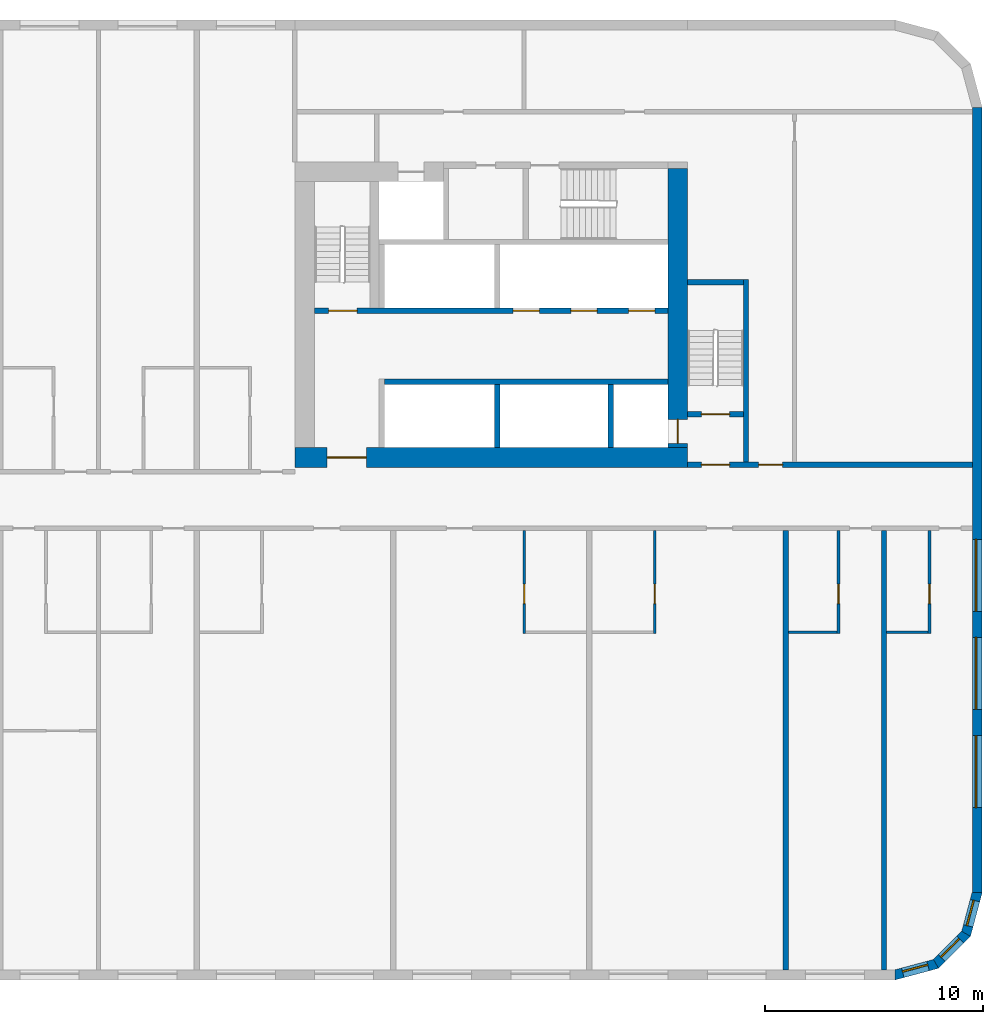
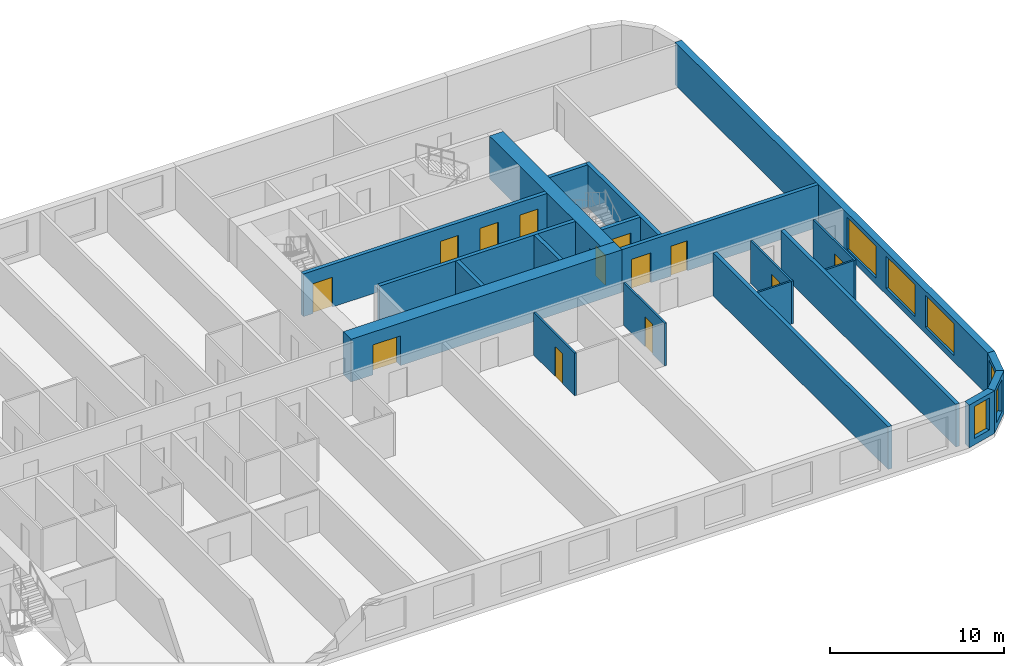
# One storey, part 7 of 12: 22 walls, 13 doors, 6 windows, 19 openings.
"""IFC4 building model written with IfcOpenShell, lengths in metres."""

from ifc_helpers import new_model, si_unit, direction, frame, frame_2d, origin, place, context, subcontext, project, spatial, polyline, rectangle, outline, extrude, material, layer, layer_set, type_object, element, fill, save


model = new_model("IFC4")

# Units and contexts
model_context = context("Model", 3, precision=1e-05, world=origin(), true_north=direction((0.0, 1.0)))
body_context = subcontext(model_context, "Body", "Model", "MODEL_VIEW")
ifc_project = project(units=[si_unit("LENGTHUNIT", "METRE"), si_unit("AREAUNIT", "SQUARE_METRE"), si_unit("VOLUMEUNIT", "CUBIC_METRE"), si_unit("PLANEANGLEUNIT", "RADIAN"), si_unit("MASSUNIT", "GRAM", prefix="KILO")], contexts=[model_context])

# Site, building, storey
site_placement = place(None, origin())
site = spatial("IfcSite", under=ifc_project, at=site_placement, CompositionType="ELEMENT")
building_placement = place(site_placement, origin())
building = spatial("IfcBuilding", under=site, at=building_placement, Name="Kajstack Hotel Tower", CompositionType="ELEMENT")
storey_placement = place(building_placement, frame((0.0, 0.0, 96.300048828125)))
storey = spatial("IfcBuildingStorey", under=building, at=storey_placement, Name="L20", CompositionType="ELEMENT", Elevation=96.300048828125)

# Wall, opening, door
ifc_material_1 = material(Name="Concrete C60/75", Category="concrete")
ifc_layer_1 = layer(ifc_material_1, 0.89990234375)
ifc_layer_set_1 = layer_set([ifc_layer_1], Name="Core wall 900")
wall_type_1 = type_object("IfcWallType", Name="Core wall 900", PredefinedType="SHEAR", material=ifc_layer_set_1)
wall_1_placement = place(storey_placement, frame((13.5, 1.949951171875, 0.0), z_axis=(0.0, 0.0, 1.0), x_axis=(1.0, 0.0, 0.0)))
wall_1 = element("IfcWall", 1, at=wall_1_placement, inside=storey, type_object=wall_type_1, Name="Core wall E RN", PredefinedType="SHEAR", context=body_context, shape_type="SweptSolid", body=[
    extrude(rectangle(XDim=18.0, YDim=0.89990234375, at=frame_2d((9.0, 0.0))), origin(), (0.0, 0.0, 1.0), 3.0),
])
opening_1_placement = place(wall_1_placement, frame((1.47509765625, 0.0, 0.0)))
opening_1 = element("IfcOpeningElement", 2, at=opening_1_placement, cuts=wall_1, Name="Opening 20E06", PredefinedType="OPENING", context=body_context, shape_type="SweptSolid", body=[
    extrude(rectangle(XDim=1.800048828125, YDim=2.10009765625, at=frame_2d((0.89990234375, 1.050048828125))), frame((0.0, 0.4599609375, 0.0), z_axis=(0.0, -1.0, 0.0), x_axis=(1.0, 0.0, 0.0)), (0.0, 0.0, 1.0), 0.919921875),
])
ifc_material_2 = material(Name="Glazed steel frame, fire-rated glass", Category="steel")
door_type_1 = type_object("IfcDoorType", Name="Lobby double door 1800", OperationType="DOUBLE_DOOR_DOUBLE_SWING", PredefinedType="DOOR", material=ifc_material_2)
door_1_placement = place(opening_1_placement, origin())
door_1 = element("IfcDoor", 3, at=door_1_placement, inside=storey, type_object=door_type_1, Name="Door 20E06", OperationType="DOUBLE_DOOR_DOUBLE_SWING", OverallHeight=2.10009765625, OverallWidth=1.800048828125, PredefinedType="DOOR", context=body_context, shape_type="SweptSolid", body=[
    extrude(rectangle(XDim=1.800048828125, YDim=2.10009765625, at=frame_2d((0.89990234375, 1.050048828125))), frame((0.0, 0.02490234375, 0.0), z_axis=(0.0, -1.0, 0.0), x_axis=(1.0, 0.0, 0.0)), (0.0, 0.0, 1.0), 0.050048828125),
])
fill(opening_1, door_1)

wall_2_placement = place(storey_placement, frame((31.050048828125, 2.39990234375, 0.0), z_axis=(0.0, 0.0, 1.0), x_axis=(0.0, 1.0, 0.0)))
wall_2 = element("IfcWall", 4, at=wall_2_placement, inside=storey, type_object=wall_type_1, Name="Core wall E RW", PredefinedType="SHEAR", context=body_context, shape_type="SweptSolid", body=[
    extrude(rectangle(XDim=12.800048828125, YDim=0.89990234375, at=frame_2d((6.39990234375, 0.0))), origin(), (0.0, 0.0, 1.0), 3.0),
])
opening_2_placement = place(wall_2_placement, frame((0.199951171875, 0.0, 0.0)))
opening_2 = element("IfcOpeningElement", 5, at=opening_2_placement, cuts=wall_2, Name="Opening LD-FF2", PredefinedType="OPENING", context=body_context, shape_type="SweptSolid", body=[
    extrude(rectangle(XDim=1.10009765625, YDim=2.10009765625, at=frame_2d((0.550048828125, 1.050048828125))), frame((0.0, 0.4599609375, 0.0), z_axis=(0.0, -1.0, 0.0), x_axis=(1.0, 0.0, 0.0)), (0.0, 0.0, 1.0), 0.919921875),
])
ifc_material_3 = material(Name="Stainless steel", Category="steel")
door_type_2 = type_object("IfcDoorType", Name="Fire-fighting lift landing door 1100", OperationType="SLIDING_TO_LEFT", PredefinedType="DOOR", material=ifc_material_3)
door_2_placement = place(opening_2_placement, origin())
door_2 = element("IfcDoor", 6, at=door_2_placement, inside=storey, type_object=door_type_2, Name="Landing door FF2", OperationType="SLIDING_TO_LEFT", OverallHeight=2.10009765625, OverallWidth=1.10009765625, PredefinedType="DOOR", context=body_context, shape_type="SweptSolid", body=[
    extrude(rectangle(XDim=1.10009765625, YDim=2.10009765625, at=frame_2d((0.550048828125, 1.050048828125))), frame((0.0, 0.02490234375, 0.0), z_axis=(0.0, -1.0, 0.0), x_axis=(1.0, 0.0, 0.0)), (0.0, 0.0, 1.0), 0.050048828125),
])
fill(opening_2, door_2)

# Wall, opening, window
ifc_material_4 = material(Name="Terracotta-faced brick masonry", Category="masonry")
ifc_layer_2 = layer(ifc_material_4, 0.449951171875)
ifc_layer_set_2 = layer_set([ifc_layer_2], Name="EW-TERRA")
wall_type_2 = type_object("IfcWallType", Name="EW-TERRA", PredefinedType="SOLIDWALL", material=ifc_layer_set_2)
wall_3_placement = place(storey_placement, frame((40.941650390625, -21.78271484375, 0.0), z_axis=(0.0, 0.0, 1.0), x_axis=(0.965926999034, 0.25881466832, 0.0)))
wall_3 = element("IfcWall", 7, at=wall_3_placement, inside=storey, type_object=wall_type_2, Name="E-wall-L20-04-00", PredefinedType="SOLIDWALL", context=body_context, shape_type="SweptSolid", body=[
    extrude(outline(polyline([(0.000244140625, -0.22509765625), (2.070556640625, -0.224853515625), (1.9501953125, 0.22509765625), (0.12060546875, 0.22509765625), (0.000244140625, -0.22509765625)])), origin(), (0.0, 0.0, 1.0), 3.0),
])
opening_3_placement = place(wall_3_placement, frame((0.435302734375, 0.0, 0.449951171875)))
opening_3 = element("IfcOpeningElement", 8, at=opening_3_placement, cuts=wall_3, Name="Opening W3", PredefinedType="OPENING", context=body_context, shape_type="SweptSolid", body=[
    extrude(rectangle(XDim=1.199951171875, YDim=2.25, at=frame_2d((0.60009765625, 1.125))), frame((0.0, 0.23486328125, 0.0), z_axis=(0.0, -1.0, 0.0), x_axis=(1.0, 0.0, 0.0)), (0.0, 0.0, 1.0), 0.469970703125),
])
ifc_material_5 = material(Name="Timber-aluminium window, triple glazed", Category="wood")
window_type_1 = type_object("IfcWindowType", Name="WG3", PartitioningType="SINGLE_PANEL", PredefinedType="WINDOW", material=ifc_material_5)
window_1_placement = place(opening_3_placement, origin())
window_1 = element("IfcWindow", 9, at=window_1_placement, inside=storey, type_object=window_type_1, Name="Window W3 L20-04", OverallHeight=2.25, OverallWidth=1.199951171875, PartitioningType="SINGLE_PANEL", PredefinedType="WINDOW", context=body_context, shape_type="SweptSolid", body=[
    extrude(rectangle(XDim=1.199951171875, YDim=2.25, at=frame_2d((0.60009765625, 1.125))), frame((0.0, 0.090087890625, 0.0), z_axis=(0.0, -1.0, 0.0), x_axis=(1.0, 0.0, 0.0)), (0.0, 0.0, 1.0), 0.06005859375),
])
fill(opening_3, window_1)

wall_4_placement = place(storey_placement, frame((42.8408203125, -21.304931640625, 0.0), z_axis=(0.0, 0.0, 1.0), x_axis=(0.707106781187, 0.707106781187, 0.0)))
wall_4 = element("IfcWall", 10, at=wall_4_placement, inside=storey, type_object=wall_type_2, Name="E-wall-L20-05-00", PredefinedType="SOLIDWALL", context=body_context, shape_type="SweptSolid", body=[
    extrude(outline(polyline([(0.0, -0.22509765625), (2.070556640625, -0.22509765625), (1.949951171875, 0.224853515625), (0.12060546875, 0.224853515625), (0.0, -0.22509765625)])), origin(), (0.0, 0.0, 1.0), 3.0),
])
opening_4_placement = place(wall_4_placement, frame((0.435302734375, 0.0, 0.449951171875)))
opening_4 = element("IfcOpeningElement", 11, at=opening_4_placement, cuts=wall_4, Name="Opening W3", PredefinedType="OPENING", context=body_context, shape_type="SweptSolid", body=[
    extrude(rectangle(XDim=1.199951171875, YDim=2.25, at=frame_2d((0.60009765625, 1.125))), frame((0.0, 0.23486328125, 0.0), z_axis=(0.0, -1.0, 0.0), x_axis=(1.0, 0.0, 0.0)), (0.0, 0.0, 1.0), 0.469970703125),
])
window_2_placement = place(opening_4_placement, origin())
window_2 = element("IfcWindow", 12, at=window_2_placement, inside=storey, type_object=window_type_1, Name="Window W3 L20-05", OverallHeight=2.25, OverallWidth=1.199951171875, PartitioningType="SINGLE_PANEL", PredefinedType="WINDOW", context=body_context, shape_type="SweptSolid", body=[
    extrude(rectangle(XDim=1.199951171875, YDim=2.25, at=frame_2d((0.60009765625, 1.125))), frame((0.0, 0.090087890625, 0.0), z_axis=(0.0, -1.0, 0.0), x_axis=(1.0, 0.0, 0.0)), (0.0, 0.0, 1.0), 0.06005859375),
])
fill(opening_4, window_2)

wall_5_placement = place(storey_placement, frame((44.246826171875, -19.941650390625, 0.0), z_axis=(0.0, 0.0, 1.0), x_axis=(0.25881466832, 0.965926999034, 0.0)))
wall_5 = element("IfcWall", 13, at=wall_5_placement, inside=storey, type_object=wall_type_2, Name="E-wall-L20-06-00", PredefinedType="SOLIDWALL", context=body_context, shape_type="SweptSolid", body=[
    extrude(outline(polyline([(-0.000244140625, -0.224853515625), (2.0703125, -0.22509765625), (1.949951171875, 0.22509765625), (0.120361328125, 0.22509765625), (-0.000244140625, -0.224853515625)])), origin(), (0.0, 0.0, 1.0), 3.0),
])
opening_5_placement = place(wall_5_placement, frame((0.435302734375, 0.0, 0.449951171875)))
opening_5 = element("IfcOpeningElement", 14, at=opening_5_placement, cuts=wall_5, Name="Opening W3", PredefinedType="OPENING", context=body_context, shape_type="SweptSolid", body=[
    extrude(rectangle(XDim=1.199951171875, YDim=2.25, at=frame_2d((0.60009765625, 1.125))), frame((0.0, 0.23486328125, 0.0), z_axis=(0.0, -1.0, 0.0), x_axis=(1.0, 0.0, 0.0)), (0.0, 0.0, 1.0), 0.469970703125),
])
window_3_placement = place(opening_5_placement, origin())
window_3 = element("IfcWindow", 15, at=window_3_placement, inside=storey, type_object=window_type_1, Name="Window W3 L20-06", OverallHeight=2.25, OverallWidth=1.199951171875, PartitioningType="SINGLE_PANEL", PredefinedType="WINDOW", context=body_context, shape_type="SweptSolid", body=[
    extrude(rectangle(XDim=1.199951171875, YDim=2.25, at=frame_2d((0.60009765625, 1.125))), frame((0.0, 0.090087890625, 0.0), z_axis=(0.0, -1.0, 0.0), x_axis=(1.0, 0.0, 0.0)), (0.0, 0.0, 1.0), 0.06005859375),
])
fill(opening_5, window_3)

# Wall, openings, windows
wall_6_placement = place(storey_placement, frame((44.77490234375, -18.0, 0.0), z_axis=(0.0, 0.0, 1.0), x_axis=(0.0, 1.0, 0.0)))
wall_6 = element("IfcWall", 16, at=wall_6_placement, inside=storey, type_object=wall_type_2, Name="E-wall-L20-07-00", PredefinedType="SOLIDWALL", context=body_context, shape_type="SweptSolid", body=[
    extrude(rectangle(XDim=36.0, YDim=0.449951171875, at=frame_2d((18.0, 0.0))), origin(), (0.0, 0.0, 1.0), 3.0),
])
opening_6_placement = place(wall_6_placement, frame((3.89990234375, 0.0, 0.449951171875)))
opening_6 = element("IfcOpeningElement", 17, at=opening_6_placement, cuts=wall_6, Name="Opening W2", PredefinedType="OPENING", context=body_context, shape_type="SweptSolid", body=[
    extrude(rectangle(XDim=3.300048828125, YDim=2.25, at=frame_2d((1.64990234375, 1.125))), frame((0.0, 0.23486328125, 0.0), z_axis=(0.0, -1.0, 0.0), x_axis=(1.0, 0.0, 0.0)), (0.0, 0.0, 1.0), 0.469970703125),
])
opening_7_placement = place(wall_6_placement, frame((8.39990234375, 0.0, 0.449951171875)))
opening_7 = element("IfcOpeningElement", 18, at=opening_7_placement, cuts=wall_6, Name="Opening W2", PredefinedType="OPENING", context=body_context, shape_type="SweptSolid", body=[
    extrude(rectangle(XDim=3.300048828125, YDim=2.25, at=frame_2d((1.64990234375, 1.125))), frame((0.0, 0.23486328125, 0.0), z_axis=(0.0, -1.0, 0.0), x_axis=(1.0, 0.0, 0.0)), (0.0, 0.0, 1.0), 0.469970703125),
])
opening_8_placement = place(wall_6_placement, frame((12.89990234375, 0.0, 0.449951171875)))
opening_8 = element("IfcOpeningElement", 19, at=opening_8_placement, cuts=wall_6, Name="Opening W2", PredefinedType="OPENING", context=body_context, shape_type="SweptSolid", body=[
    extrude(rectangle(XDim=3.300048828125, YDim=2.25, at=frame_2d((1.64990234375, 1.125))), frame((0.0, 0.23486328125, 0.0), z_axis=(0.0, -1.0, 0.0), x_axis=(1.0, 0.0, 0.0)), (0.0, 0.0, 1.0), 0.469970703125),
])
window_type_2 = type_object("IfcWindowType", Name="WG2", PartitioningType="SINGLE_PANEL", PredefinedType="WINDOW", material=ifc_material_5)
window_4_placement = place(opening_6_placement, origin())
window_4 = element("IfcWindow", 20, at=window_4_placement, inside=storey, type_object=window_type_2, Name="Window W2 L20-07", OverallHeight=2.25, OverallWidth=3.300048828125, PartitioningType="SINGLE_PANEL", PredefinedType="WINDOW", context=body_context, shape_type="SweptSolid", body=[
    extrude(rectangle(XDim=3.300048828125, YDim=2.25, at=frame_2d((1.64990234375, 1.125))), frame((0.0, 0.090087890625, 0.0), z_axis=(0.0, -1.0, 0.0), x_axis=(1.0, 0.0, 0.0)), (0.0, 0.0, 1.0), 0.06005859375),
])
fill(opening_6, window_4)
window_5_placement = place(opening_7_placement, origin())
window_5 = element("IfcWindow", 21, at=window_5_placement, inside=storey, type_object=window_type_2, Name="Window W2 L20-07", OverallHeight=2.25, OverallWidth=3.300048828125, PartitioningType="SINGLE_PANEL", PredefinedType="WINDOW", context=body_context, shape_type="SweptSolid", body=[
    extrude(rectangle(XDim=3.300048828125, YDim=2.25, at=frame_2d((1.64990234375, 1.125))), frame((0.0, 0.090087890625, 0.0), z_axis=(0.0, -1.0, 0.0), x_axis=(1.0, 0.0, 0.0)), (0.0, 0.0, 1.0), 0.06005859375),
])
fill(opening_7, window_5)
window_6_placement = place(opening_8_placement, origin())
window_6 = element("IfcWindow", 22, at=window_6_placement, inside=storey, type_object=window_type_2, Name="Window W2 L20-07", OverallHeight=2.25, OverallWidth=3.300048828125, PartitioningType="SINGLE_PANEL", PredefinedType="WINDOW", context=body_context, shape_type="SweptSolid", body=[
    extrude(rectangle(XDim=3.300048828125, YDim=2.25, at=frame_2d((1.64990234375, 1.125))), frame((0.0, 0.090087890625, 0.0), z_axis=(0.0, -1.0, 0.0), x_axis=(1.0, 0.0, 0.0)), (0.0, 0.0, 1.0), 0.06005859375),
])
fill(opening_8, window_6)

# Wall, opening, door
ifc_material_6 = material(Name="Gypsum board and tiled backer on steel studs", Category="steel")
ifc_layer_3 = layer(ifc_material_6, 0.125)
ifc_layer_set_3 = layer_set([ifc_layer_3], Name="En-suite wall 125")
wall_type_3 = type_object("IfcWallType", Name="En-suite wall 125", PredefinedType="PARTITIONING", material=ifc_layer_set_3)
wall_7_placement = place(storey_placement, frame((24.011962890625, -6.125, 0.0), z_axis=(0.0, 0.0, 1.0), x_axis=(0.0, 1.0, 0.0)))
wall_7 = element("IfcWall", 23, at=wall_7_placement, inside=storey, type_object=wall_type_3, Name="G-wall-L20-044", PredefinedType="PARTITIONING", context=body_context, shape_type="SweptSolid", body=[
    extrude(rectangle(XDim=4.72509765625, YDim=0.125, at=frame_2d((2.362548828125, 0.0))), origin(), (0.0, 0.0, 1.0), 3.0),
])
opening_9_placement = place(wall_7_placement, frame((1.375, 0.0, 0.0)))
opening_9 = element("IfcOpeningElement", 24, at=opening_9_placement, cuts=wall_7, Name="Opening 20037", PredefinedType="OPENING", context=body_context, shape_type="SweptSolid", body=[
    extrude(rectangle(XDim=0.89990234375, YDim=2.10009765625, at=frame_2d((0.449951171875, 1.050048828125))), frame((0.0, 0.072509765625, 0.0), z_axis=(0.0, -1.0, 0.0), x_axis=(1.0, 0.0, 0.0)), (0.0, 0.0, 1.0), 0.14501953125),
])
ifc_material_7 = material(Name="Painted timber door leaf", Category="wood")
door_type_3 = type_object("IfcDoorType", Name="Room door 900", OperationType="SINGLE_SWING_LEFT", PredefinedType="DOOR", material=ifc_material_7)
door_3_placement = place(opening_9_placement, origin())
door_3 = element("IfcDoor", 25, at=door_3_placement, inside=storey, type_object=door_type_3, Name="G-door-L20-37", OperationType="SINGLE_SWING_LEFT", OverallHeight=2.10009765625, OverallWidth=0.89990234375, PredefinedType="DOOR", context=body_context, shape_type="SweptSolid", body=[
    extrude(rectangle(XDim=0.89990234375, YDim=2.10009765625, at=frame_2d((0.449951171875, 1.050048828125))), frame((0.0, 0.02490234375, 0.0), z_axis=(0.0, -1.0, 0.0), x_axis=(1.0, 0.0, 0.0)), (0.0, 0.0, 1.0), 0.050048828125),
])
fill(opening_9, door_3)

wall_8_placement = place(storey_placement, frame((29.988037109375, -6.125, 0.0), z_axis=(0.0, 0.0, 1.0), x_axis=(0.0, 1.0, 0.0)))
wall_8 = element("IfcWall", 26, at=wall_8_placement, inside=storey, type_object=wall_type_3, Name="G-wall-L20-046", PredefinedType="PARTITIONING", context=body_context, shape_type="SweptSolid", body=[
    extrude(rectangle(XDim=4.72509765625, YDim=0.125, at=frame_2d((2.362548828125, 0.0))), origin(), (0.0, 0.0, 1.0), 3.0),
])
opening_10_placement = place(wall_8_placement, frame((1.375, 0.0, 0.0)))
opening_10 = element("IfcOpeningElement", 27, at=opening_10_placement, cuts=wall_8, Name="Opening 20039", PredefinedType="OPENING", context=body_context, shape_type="SweptSolid", body=[
    extrude(rectangle(XDim=0.89990234375, YDim=2.10009765625, at=frame_2d((0.449951171875, 1.050048828125))), frame((0.0, 0.072509765625, 0.0), z_axis=(0.0, -1.0, 0.0), x_axis=(1.0, 0.0, 0.0)), (0.0, 0.0, 1.0), 0.14501953125),
])
door_4_placement = place(opening_10_placement, origin())
door_4 = element("IfcDoor", 28, at=door_4_placement, inside=storey, type_object=door_type_3, Name="G-door-L20-39", OperationType="SINGLE_SWING_RIGHT", OverallHeight=2.10009765625, OverallWidth=0.89990234375, PredefinedType="DOOR", context=body_context, shape_type="SweptSolid", body=[
    extrude(rectangle(XDim=0.89990234375, YDim=2.10009765625, at=frame_2d((0.449951171875, 1.050048828125))), frame((0.0, 0.02490234375, 0.0), z_axis=(0.0, -1.0, 0.0), x_axis=(1.0, 0.0, 0.0)), (0.0, 0.0, 1.0), 0.050048828125),
])
fill(opening_10, door_4)

wall_9_placement = place(storey_placement, frame((38.4130859375, -6.125, 0.0), z_axis=(0.0, 0.0, 1.0), x_axis=(0.0, 1.0, 0.0)))
wall_9 = element("IfcWall", 29, at=wall_9_placement, inside=storey, type_object=wall_type_3, Name="G-wall-L20-048", PredefinedType="PARTITIONING", context=body_context, shape_type="SweptSolid", body=[
    extrude(rectangle(XDim=4.72509765625, YDim=0.125, at=frame_2d((2.362548828125, 0.0))), origin(), (0.0, 0.0, 1.0), 3.0),
])
opening_11_placement = place(wall_9_placement, frame((1.375, 0.0, 0.0)))
opening_11 = element("IfcOpeningElement", 30, at=opening_11_placement, cuts=wall_9, Name="Opening 20041", PredefinedType="OPENING", context=body_context, shape_type="SweptSolid", body=[
    extrude(rectangle(XDim=0.89990234375, YDim=2.10009765625, at=frame_2d((0.449951171875, 1.050048828125))), frame((0.0, 0.072509765625, 0.0), z_axis=(0.0, -1.0, 0.0), x_axis=(1.0, 0.0, 0.0)), (0.0, 0.0, 1.0), 0.14501953125),
])
door_5_placement = place(opening_11_placement, origin())
door_5 = element("IfcDoor", 31, at=door_5_placement, inside=storey, type_object=door_type_3, Name="G-door-L20-41", OperationType="SINGLE_SWING_LEFT", OverallHeight=2.10009765625, OverallWidth=0.89990234375, PredefinedType="DOOR", context=body_context, shape_type="SweptSolid", body=[
    extrude(rectangle(XDim=0.89990234375, YDim=2.10009765625, at=frame_2d((0.449951171875, 1.050048828125))), frame((0.0, 0.02490234375, 0.0), z_axis=(0.0, -1.0, 0.0), x_axis=(1.0, 0.0, 0.0)), (0.0, 0.0, 1.0), 0.050048828125),
])
fill(opening_11, door_5)

# Wall
wall_10_placement = place(storey_placement, frame((36.125, -6.06201171875, 0.0), z_axis=(0.0, 0.0, 1.0), x_axis=(1.0, 0.0, 0.0)))
element("IfcWall", 32, at=wall_10_placement, inside=storey, type_object=wall_type_3, Name="G-wall-L20-049", PredefinedType="PARTITIONING", context=body_context, shape_type="SweptSolid", body=[
    extrude(rectangle(XDim=2.22509765625, YDim=0.125, at=frame_2d((1.112548828125, 0.0))), origin(), (0.0, 0.0, 1.0), 3.0),
])

# Wall, opening, door
wall_11_placement = place(storey_placement, frame((42.5869140625, -6.125, 0.0), z_axis=(0.0, 0.0, 1.0), x_axis=(0.0, 1.0, 0.0)))
wall_11 = element("IfcWall", 33, at=wall_11_placement, inside=storey, type_object=wall_type_3, Name="G-wall-L20-050", PredefinedType="PARTITIONING", context=body_context, shape_type="SweptSolid", body=[
    extrude(rectangle(XDim=4.72509765625, YDim=0.125, at=frame_2d((2.362548828125, 0.0))), origin(), (0.0, 0.0, 1.0), 3.0),
])
opening_12_placement = place(wall_11_placement, frame((1.375, 0.0, 0.0)))
opening_12 = element("IfcOpeningElement", 34, at=opening_12_placement, cuts=wall_11, Name="Opening 20043", PredefinedType="OPENING", context=body_context, shape_type="SweptSolid", body=[
    extrude(rectangle(XDim=0.89990234375, YDim=2.10009765625, at=frame_2d((0.449951171875, 1.050048828125))), frame((0.0, 0.072509765625, 0.0), z_axis=(0.0, -1.0, 0.0), x_axis=(1.0, 0.0, 0.0)), (0.0, 0.0, 1.0), 0.14501953125),
])
door_6_placement = place(opening_12_placement, origin())
door_6 = element("IfcDoor", 35, at=door_6_placement, inside=storey, type_object=door_type_3, Name="G-door-L20-43", OperationType="SINGLE_SWING_LEFT", OverallHeight=2.10009765625, OverallWidth=0.89990234375, PredefinedType="DOOR", context=body_context, shape_type="SweptSolid", body=[
    extrude(rectangle(XDim=0.89990234375, YDim=2.10009765625, at=frame_2d((0.449951171875, 1.050048828125))), frame((0.0, 0.02490234375, 0.0), z_axis=(0.0, -1.0, 0.0), x_axis=(1.0, 0.0, 0.0)), (0.0, 0.0, 1.0), 0.050048828125),
])
fill(opening_12, door_6)

# Walls
wall_12_placement = place(storey_placement, frame((40.625, -6.06201171875, 0.0), z_axis=(0.0, 0.0, 1.0), x_axis=(1.0, 0.0, 0.0)))
element("IfcWall", 36, at=wall_12_placement, inside=storey, type_object=wall_type_3, Name="G-wall-L20-051", PredefinedType="PARTITIONING", context=body_context, shape_type="SweptSolid", body=[
    extrude(rectangle(XDim=1.89990234375, YDim=0.125, at=frame_2d((0.949951171875, 0.0))), origin(), (0.0, 0.0, 1.0), 3.0),
])
ifc_material_8 = material(Name="Concrete C50/60", Category="concrete")
ifc_layer_4 = layer(ifc_material_8, 0.300048828125)
ifc_layer_set_4 = layer_set([ifc_layer_4], Name="Hoistway divider wall 300")
wall_type_4 = type_object("IfcWallType", Name="Hoistway divider wall 300", PredefinedType="SHEAR", material=ifc_layer_set_4)
wall_13_placement = place(storey_placement, frame((22.77490234375, 2.39990234375, 0.0), z_axis=(0.0, 0.0, 1.0), x_axis=(0.0, 1.0, 0.0)))
element("IfcWall", 37, at=wall_13_placement, inside=storey, type_object=wall_type_4, Name="Core wall E AP2", PredefinedType="SHEAR", context=body_context, shape_type="SweptSolid", body=[
    extrude(rectangle(XDim=2.900146484375, YDim=0.25, at=frame_2d((1.4501953125, 0.0))), origin(), (0.0, 0.0, 1.0), 3.0),
])
ifc_layer_5 = layer(ifc_material_1, 0.25)
ifc_layer_set_5 = layer_set([ifc_layer_5], Name="RC cross wall 250 C60/75")
wall_type_5 = type_object("IfcWallType", Name="RC cross wall 250 C60/75", PredefinedType="SHEAR", material=ifc_layer_set_5)
for number, where, z_axis, x_axis, name in (
    (38, (36.0, -21.5400390625, 0.0), (0.0, 0.0, 1.0), (0.0, 1.0, 0.0), "S-wall-L20-13"),
    (39, (40.5, -21.5400390625, 0.0), (0.0, 0.0, 1.0), (0.0, 1.0, 0.0), "S-wall-L20-14"),
):
    element("IfcWall", number, at=place(storey_placement, frame(where, z_axis=z_axis, x_axis=x_axis)), inside=storey, type_object=wall_type_5, Name=name, PredefinedType="SHEAR", context=body_context, shape_type="SweptSolid", body=[
        extrude(rectangle(XDim=20.14013671875, YDim=0.25, at=frame_2d((10.070068359375, 0.0))), origin(), (0.0, 0.0, 1.0), 3.0),
    ])

# Wall, openings, doors
ifc_material_9 = material(Name="Gypsum board on steel studs, mineral wool", Category="steel")
ifc_layer_6 = layer(ifc_material_9, 0.199951171875)
ifc_layer_set_6 = layer_set([ifc_layer_6], Name="Service partition 200")
wall_type_6 = type_object("IfcWallType", Name="Service partition 200", PredefinedType="PARTITIONING", material=ifc_layer_set_6)
wall_14_placement = place(storey_placement, frame((31.5, 1.625, 0.0), z_axis=(0.0, 0.0, 1.0), x_axis=(1.0, 0.0, 0.0)))
wall_14 = element("IfcWall", 40, at=wall_14_placement, inside=storey, type_object=wall_type_6, Name="Partition E SN", PredefinedType="PARTITIONING", context=body_context, shape_type="SweptSolid", body=[
    extrude(rectangle(XDim=13.050048828125, YDim=0.25, at=frame_2d((6.52490234375, 0.0))), origin(), (0.0, 0.0, 1.0), 3.0),
])
opening_13_placement = place(wall_14_placement, frame((0.625, 0.0, 0.0)))
opening_13 = element("IfcOpeningElement", 41, at=opening_13_placement, cuts=wall_14, Name="Opening 20E07", PredefinedType="OPENING", context=body_context, shape_type="SweptSolid", body=[
    extrude(rectangle(XDim=1.300048828125, YDim=2.10009765625, at=frame_2d((0.64990234375, 1.050048828125))), frame((0.0, 0.135009765625, 0.0), z_axis=(0.0, -1.0, 0.0), x_axis=(1.0, 0.0, 0.0)), (0.0, 0.0, 1.0), 0.27001953125),
])
opening_14_placement = place(wall_14_placement, frame((3.25, 0.0, 0.0)))
opening_14 = element("IfcOpeningElement", 42, at=opening_14_placement, cuts=wall_14, Name="Opening 20E09", PredefinedType="OPENING", context=body_context, shape_type="SweptSolid", body=[
    extrude(rectangle(XDim=1.10009765625, YDim=2.10009765625, at=frame_2d((0.550048828125, 1.050048828125))), frame((0.0, 0.135009765625, 0.0), z_axis=(0.0, -1.0, 0.0), x_axis=(1.0, 0.0, 0.0)), (0.0, 0.0, 1.0), 0.27001953125),
])
ifc_material_10 = material(Name="Steel leaf, fire-rated", Category="steel")
door_type_4 = type_object("IfcDoorType", Name="Fire lobby door 1300", OperationType="SINGLE_SWING_LEFT", PredefinedType="DOOR", material=ifc_material_10)
door_7_placement = place(opening_13_placement, origin())
door_7 = element("IfcDoor", 43, at=door_7_placement, inside=storey, type_object=door_type_4, Name="Door 20E07", OperationType="SINGLE_SWING_LEFT", OverallHeight=2.10009765625, OverallWidth=1.300048828125, PredefinedType="DOOR", context=body_context, shape_type="SweptSolid", body=[
    extrude(rectangle(XDim=1.300048828125, YDim=2.10009765625, at=frame_2d((0.64990234375, 1.050048828125))), frame((0.0, 0.02490234375, 0.0), z_axis=(0.0, -1.0, 0.0), x_axis=(1.0, 0.0, 0.0)), (0.0, 0.0, 1.0), 0.050048828125),
])
fill(opening_13, door_7)
ifc_material_11 = material(Name="Timber leaf, fire-rated", Category="wood")
door_type_5 = type_object("IfcDoorType", Name="Service corridor door 1100", OperationType="SINGLE_SWING_LEFT", PredefinedType="DOOR", material=ifc_material_11)
door_8_placement = place(opening_14_placement, origin())
door_8 = element("IfcDoor", 44, at=door_8_placement, inside=storey, type_object=door_type_5, Name="Door 20E09", OperationType="SINGLE_SWING_LEFT", OverallHeight=2.10009765625, OverallWidth=1.10009765625, PredefinedType="DOOR", context=body_context, shape_type="SweptSolid", body=[
    extrude(rectangle(XDim=1.10009765625, YDim=2.10009765625, at=frame_2d((0.550048828125, 1.050048828125))), frame((0.0, 0.02490234375, 0.0), z_axis=(0.0, -1.0, 0.0), x_axis=(1.0, 0.0, 0.0)), (0.0, 0.0, 1.0), 0.050048828125),
])
fill(opening_14, door_8)

# Walls
ifc_layer_7 = layer(ifc_material_8, 0.25)
ifc_layer_set_7 = layer_set([ifc_layer_7], Name="Shaft wall 250")
wall_type_7 = type_object("IfcWallType", Name="Shaft wall 250", PredefinedType="SHEAR", material=ifc_layer_set_7)
wall_15_placement = place(storey_placement, frame((17.60009765625, 5.425048828125, 0.0), z_axis=(0.0, 0.0, 1.0), x_axis=(1.0, 0.0, 0.0)))
element("IfcWall", 45, at=wall_15_placement, inside=storey, type_object=wall_type_7, Name="Core wall E FA", PredefinedType="SHEAR", context=body_context, shape_type="SweptSolid", body=[
    extrude(rectangle(XDim=13.0, YDim=0.25, at=frame_2d((6.5, 0.0))), origin(), (0.0, 0.0, 1.0), 3.0),
])
wall_16_placement = place(storey_placement, frame((27.97509765625, 2.39990234375, 0.0), z_axis=(0.0, 0.0, 1.0), x_axis=(0.0, 1.0, 0.0)))
element("IfcWall", 46, at=wall_16_placement, inside=storey, type_object=wall_type_7, Name="Core wall E AP0", PredefinedType="SHEAR", context=body_context, shape_type="SweptSolid", body=[
    extrude(rectangle(XDim=2.900146484375, YDim=0.25, at=frame_2d((1.4501953125, 0.0))), origin(), (0.0, 0.0, 1.0), 3.0),
])

# Wall, openings, doors
wall_17_placement = place(storey_placement, frame((14.39990234375, 8.675048828125, 0.0), z_axis=(0.0, 0.0, 1.0), x_axis=(1.0, 0.0, 0.0)))
wall_17 = element("IfcWall", 47, at=wall_17_placement, inside=storey, type_object=wall_type_7, Name="Core wall E FB", PredefinedType="SHEAR", context=body_context, shape_type="SweptSolid", body=[
    extrude(rectangle(XDim=16.2001953125, YDim=0.25, at=frame_2d((8.10009765625, 0.0))), origin(), (0.0, 0.0, 1.0), 3.0),
])
opening_15_placement = place(wall_17_placement, frame((14.39990234375, 0.0, 0.0)))
opening_15 = element("IfcOpeningElement", 48, at=opening_15_placement, cuts=wall_17, Name="Opening LD-LR4", PredefinedType="OPENING", context=body_context, shape_type="SweptSolid", body=[
    extrude(rectangle(XDim=1.199951171875, YDim=2.10009765625, at=frame_2d((0.60009765625, 1.050048828125))), frame((0.0, 0.135009765625, 0.0), z_axis=(0.0, -1.0, 0.0), x_axis=(1.0, 0.0, 0.0)), (0.0, 0.0, 1.0), 0.27001953125),
])
opening_16_placement = place(wall_17_placement, frame((11.75, 0.0, 0.0)))
opening_16 = element("IfcOpeningElement", 49, at=opening_16_placement, cuts=wall_17, Name="Opening LD-LR5", PredefinedType="OPENING", context=body_context, shape_type="SweptSolid", body=[
    extrude(rectangle(XDim=1.199951171875, YDim=2.10009765625, at=frame_2d((0.60009765625, 1.050048828125))), frame((0.0, 0.135009765625, 0.0), z_axis=(0.0, -1.0, 0.0), x_axis=(1.0, 0.0, 0.0)), (0.0, 0.0, 1.0), 0.27001953125),
])
opening_17_placement = place(wall_17_placement, frame((9.10009765625, 0.0, 0.0)))
opening_17 = element("IfcOpeningElement", 50, at=opening_17_placement, cuts=wall_17, Name="Opening LD-LR6", PredefinedType="OPENING", context=body_context, shape_type="SweptSolid", body=[
    extrude(rectangle(XDim=1.199951171875, YDim=2.10009765625, at=frame_2d((0.60009765625, 1.050048828125))), frame((0.0, 0.135009765625, 0.0), z_axis=(0.0, -1.0, 0.0), x_axis=(1.0, 0.0, 0.0)), (0.0, 0.0, 1.0), 0.27001953125),
])
opening_18_placement = place(wall_17_placement, frame((0.64990234375, 0.0, 0.0)))
opening_18 = element("IfcOpeningElement", 51, at=opening_18_placement, cuts=wall_17, Name="Opening 20E10", PredefinedType="OPENING", context=body_context, shape_type="SweptSolid", body=[
    extrude(rectangle(XDim=1.300048828125, YDim=2.10009765625, at=frame_2d((0.64990234375, 1.050048828125))), frame((0.0, 0.135009765625, 0.0), z_axis=(0.0, -1.0, 0.0), x_axis=(1.0, 0.0, 0.0)), (0.0, 0.0, 1.0), 0.27001953125),
])
door_type_6 = type_object("IfcDoorType", Name="Lift landing door 1200", OperationType="SLIDING_TO_LEFT", PredefinedType="DOOR", material=ifc_material_3)
door_9_placement = place(opening_15_placement, origin())
door_9 = element("IfcDoor", 52, at=door_9_placement, inside=storey, type_object=door_type_6, Name="Landing door LR4", OperationType="SLIDING_TO_LEFT", OverallHeight=2.10009765625, OverallWidth=1.199951171875, PredefinedType="DOOR", context=body_context, shape_type="SweptSolid", body=[
    extrude(rectangle(XDim=1.199951171875, YDim=2.10009765625, at=frame_2d((0.60009765625, 1.050048828125))), frame((0.0, 0.02490234375, 0.0), z_axis=(0.0, -1.0, 0.0), x_axis=(1.0, 0.0, 0.0)), (0.0, 0.0, 1.0), 0.050048828125),
])
fill(opening_15, door_9)
door_10_placement = place(opening_16_placement, origin())
door_10 = element("IfcDoor", 53, at=door_10_placement, inside=storey, type_object=door_type_6, Name="Landing door LR5", OperationType="SLIDING_TO_RIGHT", OverallHeight=2.10009765625, OverallWidth=1.199951171875, PredefinedType="DOOR", context=body_context, shape_type="SweptSolid", body=[
    extrude(rectangle(XDim=1.199951171875, YDim=2.10009765625, at=frame_2d((0.60009765625, 1.050048828125))), frame((0.0, 0.02490234375, 0.0), z_axis=(0.0, -1.0, 0.0), x_axis=(1.0, 0.0, 0.0)), (0.0, 0.0, 1.0), 0.050048828125),
])
fill(opening_16, door_10)
door_11_placement = place(opening_17_placement, origin())
door_11 = element("IfcDoor", 54, at=door_11_placement, inside=storey, type_object=door_type_6, Name="Landing door LR6", OperationType="SLIDING_TO_RIGHT", OverallHeight=2.10009765625, OverallWidth=1.199951171875, PredefinedType="DOOR", context=body_context, shape_type="SweptSolid", body=[
    extrude(rectangle(XDim=1.199951171875, YDim=2.10009765625, at=frame_2d((0.60009765625, 1.050048828125))), frame((0.0, 0.02490234375, 0.0), z_axis=(0.0, -1.0, 0.0), x_axis=(1.0, 0.0, 0.0)), (0.0, 0.0, 1.0), 0.050048828125),
])
fill(opening_17, door_11)
door_type_7 = type_object("IfcDoorType", Name="Stair door 1300", OperationType="SINGLE_SWING_LEFT", PredefinedType="DOOR", material=ifc_material_10)
door_12_placement = place(opening_18_placement, origin())
door_12 = element("IfcDoor", 55, at=door_12_placement, inside=storey, type_object=door_type_7, Name="Door 20E10", OperationType="SINGLE_SWING_LEFT", OverallHeight=2.10009765625, OverallWidth=1.300048828125, PredefinedType="DOOR", context=body_context, shape_type="SweptSolid", body=[
    extrude(rectangle(XDim=1.300048828125, YDim=2.10009765625, at=frame_2d((0.64990234375, 1.050048828125))), frame((0.0, 0.02490234375, 0.0), z_axis=(0.0, -1.0, 0.0), x_axis=(1.0, 0.0, 0.0)), (0.0, 0.0, 1.0), 0.050048828125),
])
fill(opening_18, door_12)

# Wall, opening, door
ifc_material_12 = material(Name="Concrete C40/50", Category="concrete")
ifc_layer_8 = layer(ifc_material_12, 0.25)
ifc_layer_set_8 = layer_set([ifc_layer_8], Name="Stair enclosure wall 250")
wall_type_8 = type_object("IfcWallType", Name="Stair enclosure wall 250", PredefinedType="SHEAR", material=ifc_layer_set_8)
wall_18_placement = place(storey_placement, frame((31.5, 3.925048828125, 0.0), z_axis=(0.0, 0.0, 1.0), x_axis=(1.0, 0.0, 0.0)))
wall_18 = element("IfcWall", 56, at=wall_18_placement, inside=storey, type_object=wall_type_8, Name="Core wall E W1N", PredefinedType="SHEAR", context=body_context, shape_type="SweptSolid", body=[
    extrude(rectangle(XDim=2.550048828125, YDim=0.25, at=frame_2d((1.27490234375, 0.0))), origin(), (0.0, 0.0, 1.0), 3.0),
])
opening_19_placement = place(wall_18_placement, frame((0.625, 0.0, 0.0)))
opening_19 = element("IfcOpeningElement", 57, at=opening_19_placement, cuts=wall_18, Name="Opening 20E08", PredefinedType="OPENING", context=body_context, shape_type="SweptSolid", body=[
    extrude(rectangle(XDim=1.300048828125, YDim=2.10009765625, at=frame_2d((0.64990234375, 1.050048828125))), frame((0.0, 0.135009765625, 0.0), z_axis=(0.0, -1.0, 0.0), x_axis=(1.0, 0.0, 0.0)), (0.0, 0.0, 1.0), 0.27001953125),
])
door_13_placement = place(opening_19_placement, origin())
door_13 = element("IfcDoor", 58, at=door_13_placement, inside=storey, type_object=door_type_7, Name="Door 20E08", OperationType="SINGLE_SWING_LEFT", OverallHeight=2.10009765625, OverallWidth=1.300048828125, PredefinedType="DOOR", context=body_context, shape_type="SweptSolid", body=[
    extrude(rectangle(XDim=1.300048828125, YDim=2.10009765625, at=frame_2d((0.64990234375, 1.050048828125))), frame((0.0, 0.02490234375, 0.0), z_axis=(0.0, -1.0, 0.0), x_axis=(1.0, 0.0, 0.0)), (0.0, 0.0, 1.0), 0.050048828125),
])
fill(opening_19, door_13)

# Walls
wall_19_placement = place(storey_placement, frame((34.175048828125, 1.75, 0.0), z_axis=(0.0, 0.0, 1.0), x_axis=(0.0, 1.0, 0.0)))
element("IfcWall", 59, at=wall_19_placement, inside=storey, type_object=wall_type_8, Name="Core wall E W1W", PredefinedType="SHEAR", context=body_context, shape_type="SweptSolid", body=[
    extrude(rectangle(XDim=8.35009765625, YDim=0.25, at=frame_2d((4.175048828125, 0.0))), origin(), (0.0, 0.0, 1.0), 3.0),
])
wall_20_placement = place(storey_placement, frame((31.5, 9.97509765625, 0.0), z_axis=(0.0, 0.0, 1.0), x_axis=(1.0, 0.0, 0.0)))
element("IfcWall", 60, at=wall_20_placement, inside=storey, type_object=wall_type_8, Name="Core wall E W1S", PredefinedType="SHEAR", context=body_context, shape_type="SweptSolid", body=[
    extrude(rectangle(XDim=2.550048828125, YDim=0.25, at=frame_2d((1.27490234375, 0.0))), origin(), (0.0, 0.0, 1.0), 3.0),
])

save(model, "model.ifc")
